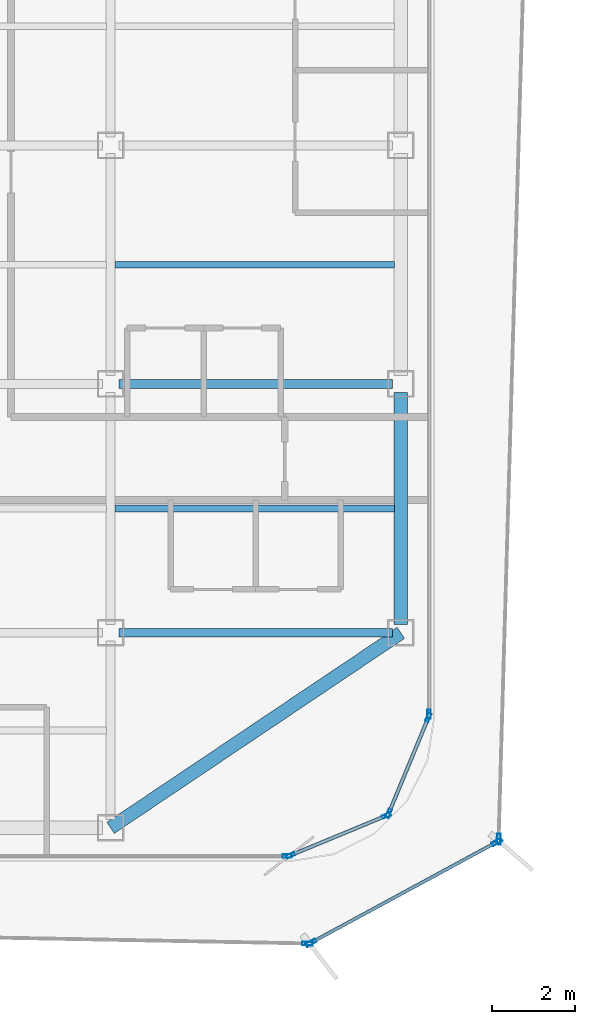
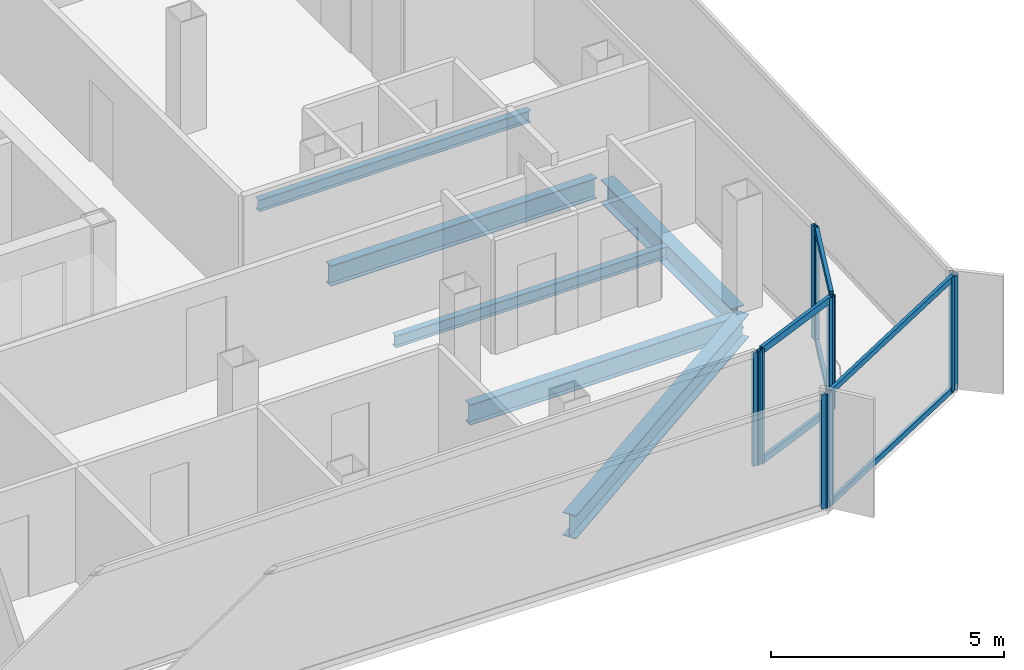
# One storey, part 4 of 15: 16 members, 6 beams, 7 elements without a shape of their own.
"""IFC4 building model written with IfcOpenShell, lengths in metres."""

from ifc_helpers import new_model, si_unit, direction, frame, origin, origin_2d, place, context, subcontext, project, spatial, hollow_rectangle, i_section, extrude, source, transform, mapped, material, layer, layer_set, material_profile, profile_set, type_object, element, aggregate, save


model = new_model("IFC4")

# Units and contexts
model_context = context("Model", 3, precision=1e-05, world=origin(), true_north=direction((0.0, 1.0)))
body_context = subcontext(model_context, "Body", "Model", "MODEL_VIEW")
ifc_project = project(units=[si_unit("LENGTHUNIT", "METRE"), si_unit("AREAUNIT", "SQUARE_METRE"), si_unit("VOLUMEUNIT", "CUBIC_METRE"), si_unit("PLANEANGLEUNIT", "RADIAN"), si_unit("MASSUNIT", "GRAM", prefix="KILO")], contexts=[model_context])

# Site, building, storey
site_placement = place(None, origin())
site = spatial("IfcSite", under=ifc_project, at=site_placement, CompositionType="ELEMENT")
building_placement = place(site_placement, origin())
building = spatial("IfcBuilding", under=site, at=building_placement, Name="Kolveth Station Tower", CompositionType="ELEMENT")
storey_placement = place(building_placement, frame((0.0, 0.0, 242.5)))
storey = spatial("IfcBuildingStorey", under=building, at=storey_placement, Name="L69", CompositionType="ELEMENT", Elevation=242.5)

# Beams
ifc_material_1 = material(Name="Steel S355", Category="steel")
ifc_material_profile_1 = material_profile(ifc_material_1, i_section(OverallWidth=0.323974609375, OverallDepth=0.611083984375, WebThickness=0.0126953125, FlangeThickness=0.01904296875, at=origin_2d()), Name="W610x155")
ifc_profile_set_1 = profile_set([ifc_material_profile_1], Name="Steel S355")
beam_type_1 = type_object("IfcBeamType", Name="Beam_SP2", PredefinedType="SPANDREL", material=ifc_profile_set_1)
shared_shape_1 = source(origin(), body_context, "Body", "SweptSolid", [
    extrude(i_section(OverallWidth=0.323974609375, OverallDepth=0.611083984375, WebThickness=0.0126953125, FlangeThickness=0.01904296875, at=origin_2d()), origin(), (0.0, 0.0, 1.0), 8.431396484375),
])
beam_1_placement = place(storey_placement, frame((34.0, 0.800048828125, -0.525390625), z_axis=(0.830223811004, 0.557430196206, 0.0), x_axis=(-0.557430196206, 0.830223811004, 0.0)))
element("IfcBeam", 1, at=beam_1_placement, inside=storey, type_object=beam_type_1, Name="L69 Corner Edge Girder BM-L69-CNR-SE", PredefinedType="SPANDREL", context=body_context, shape_type="MappedRepresentation", body=[
    mapped(shared_shape_1, transform((0.0, 0.0, 0.0), x_axis=(1.0, 0.0, 0.0), y_axis=(0.0, 1.0, 0.0), z_axis=(0.0, 0.0, 1.0), scale=1.0)),
])
shared_shape_2 = source(origin(), body_context, "Body", "SweptSolid", [
    extrude(i_section(OverallWidth=0.323974609375, OverallDepth=0.611083984375, WebThickness=0.0126953125, FlangeThickness=0.01904296875, at=origin_2d()), origin(), (0.0, 0.0, 1.0), 5.60009765625),
])
beam_2_placement = place(storey_placement, frame((41.0, 5.699951171875, -0.525390625), z_axis=(0.0, 1.0, 0.0), x_axis=(-1.0, 0.0, 0.0)))
element("IfcBeam", 2, at=beam_2_placement, inside=storey, type_object=beam_type_1, Name="L69 Perimeter Spandrel BM-L69-PE-1", PredefinedType="SPANDREL", context=body_context, shape_type="MappedRepresentation", body=[
    mapped(shared_shape_2, transform((0.0, 0.0, 0.0), x_axis=(1.0, 0.0, 0.0), y_axis=(0.0, 1.0, 0.0), z_axis=(0.0, 0.0, 1.0), scale=1.0)),
])
ifc_material_profile_2 = material_profile(ifc_material_1, i_section(OverallWidth=0.2099609375, OverallDepth=0.537109375, WebThickness=0.010986328125, FlangeThickness=0.017333984375, at=origin_2d()), Name="W530x101")
ifc_profile_set_2 = profile_set([ifc_material_profile_2], Name="Steel S355")
beam_type_2 = type_object("IfcBeamType", Name="Beam_B6", PredefinedType="BEAM", material=ifc_profile_set_2)
shared_shape_3 = source(origin(), body_context, "Body", "SweptSolid", [
    extrude(i_section(OverallWidth=0.2099609375, OverallDepth=0.537109375, WebThickness=0.010986328125, FlangeThickness=0.017333984375, at=origin_2d()), origin(), (0.0, 0.0, 1.0), 6.60009765625),
])
for number, where, z_axis, x_axis, name in (
    (3, (34.199951171875, 5.5, -0.488525390625), (1.0, 0.0, 0.0), (0.0, 1.0, 0.0), "L69 Primary Girder BM-L69-GY55-5"),
    (4, (34.199951171875, 11.5, -0.488525390625), (1.0, 0.0, 0.0), (0.0, 1.0, 0.0), "L69 Primary Girder BM-L69-GY115-5"),
):
    element("IfcBeam", number, at=place(storey_placement, frame(where, z_axis=z_axis, x_axis=x_axis)), inside=storey, type_object=beam_type_2, Name=name, PredefinedType="BEAM", context=body_context, shape_type="MappedRepresentation", body=[
        mapped(shared_shape_3, transform((0.0, 0.0, 0.0), x_axis=(1.0, 0.0, 0.0), y_axis=(0.0, 1.0, 0.0), z_axis=(0.0, 0.0, 1.0), scale=1.0)),
    ])
ifc_material_profile_3 = material_profile(ifc_material_1, i_section(OverallWidth=0.1650390625, OverallDepth=0.31005859375, WebThickness=0.005859375, FlangeThickness=0.009765625, at=origin_2d()), Name="W310x39")
ifc_profile_set_3 = profile_set([ifc_material_profile_3], Name="Steel S355")
beam_type_3 = type_object("IfcBeamType", Name="Beam_J3", PredefinedType="JOIST", material=ifc_profile_set_3)
shared_shape_4 = source(origin(), body_context, "Body", "SweptSolid", [
    extrude(i_section(OverallWidth=0.1650390625, OverallDepth=0.31005859375, WebThickness=0.005859375, FlangeThickness=0.009765625, at=origin_2d()), origin(), (0.0, 0.0, 1.0), 6.737060546875),
])
for number, where, z_axis, x_axis, name in (
    (5, (34.10302734375, 8.5, -0.375), (1.0, 0.0, 0.0), (0.0, 1.0, 0.0), "L69 Secondary Joist JST-L69-5-2"),
    (6, (34.10302734375, 14.375, -0.375), (1.0, 0.0, 0.0), (0.0, 1.0, 0.0), "L69 Secondary Joist JST-L69-5-3"),
):
    element("IfcBeam", number, at=place(storey_placement, frame(where, z_axis=z_axis, x_axis=x_axis)), inside=storey, type_object=beam_type_3, Name=name, PredefinedType="JOIST", context=body_context, shape_type="MappedRepresentation", body=[
        mapped(shared_shape_4, transform((0.0, 0.0, 0.0), x_axis=(1.0, 0.0, 0.0), y_axis=(0.0, 1.0, 0.0), z_axis=(0.0, 0.0, 1.0), scale=1.0)),
    ])

# Curtain wall, members
ifc_material_2 = material(Name="Black anodized aluminium 6063-T6 and dark solar glass", Category="aluminium")
ifc_layer_1 = layer(ifc_material_2, 0.159912109375)
ifc_layer_set_1 = layer_set([ifc_layer_1], Name="Black anodized aluminium 6063-T6 and dark solar glass")
curtain_wall_type_1 = type_object("IfcCurtainWallType", Name="OUTER SKIN CW-OS", PredefinedType="NOTDEFINED", material=ifc_layer_set_1)
curtain_wall_1_placement = place(storey_placement, origin())
curtain_wall_1 = element("IfcCurtainWall", 7, at=curtain_wall_1_placement, inside=storey, type_object=curtain_wall_type_1, Name="L69 Outer Ventilated Skin Curtain Wall 1", PredefinedType="NOTDEFINED")
ifc_material_3 = material(Name="Black anodized aluminium 6063-T6", Category="aluminium")
ifc_material_profile_4 = material_profile(ifc_material_3, hollow_rectangle(XDim=0.090087890625, YDim=0.260009765625, WallThickness=0.0048828125, at=origin_2d()), Name="ALU-90x260x5")
ifc_profile_set_4 = profile_set([ifc_material_profile_4], Name="Black anodized aluminium 6063-T6")
member_type_1 = type_object("IfcMemberType", Name="FIN MULLION ML-OS", PredefinedType="MULLION", material=ifc_profile_set_4)
shared_shape_5 = source(origin(), body_context, "Body", "SweptSolid", [
    extrude(hollow_rectangle(XDim=0.090087890625, YDim=0.260009765625, WallThickness=0.0048828125, at=origin_2d()), origin(), (0.0, 0.0, 1.0), 2.989990234375),
])
member_1_placement = place(storey_placement, frame((38.83154296875, -1.9716796875, 0.0), z_axis=(0.0, 0.0, 1.0), x_axis=(-0.476535575494, 0.879155188399, 0.0)))
member_1 = element("IfcMember", 8, at=member_1_placement, type_object=member_type_1, Name="CW-OS mullion 1", PredefinedType="MULLION", context=body_context, shape_type="MappedRepresentation", body=[
    mapped(shared_shape_5, transform((0.0, 0.0, 0.0), x_axis=(1.0, 0.0, 0.0), y_axis=(0.0, 1.0, 0.0), z_axis=(0.0, 0.0, 1.0), scale=1.0)),
])
member_2_placement = place(storey_placement, frame((43.318603515625, 0.46044921875, 0.0), z_axis=(0.0, 0.0, 1.0), x_axis=(-0.476535575494, 0.879155188399, 0.0)))
member_2 = element("IfcMember", 9, at=member_2_placement, type_object=member_type_1, Name="CW-OS mullion 2", PredefinedType="MULLION", context=body_context, shape_type="MappedRepresentation", body=[
    mapped(shared_shape_5, transform((0.0, 0.0, 0.0), x_axis=(1.0, 0.0, 0.0), y_axis=(0.0, 1.0, 0.0), z_axis=(0.0, 0.0, 1.0), scale=1.0)),
])

# Curtain wall, member
curtain_wall_2_placement = place(storey_placement, origin())
curtain_wall_2 = element("IfcCurtainWall", 10, at=curtain_wall_2_placement, inside=storey, type_object=curtain_wall_type_1, Name="L69 Outer Ventilated Skin Curtain Wall 2", PredefinedType="NOTDEFINED")
member_3_placement = place(storey_placement, frame((43.359375, 0.52685546875, 0.0), z_axis=(0.0, 0.0, 1.0), x_axis=(-0.999585840717, 0.028777543983, 0.0)))
member_3 = element("IfcMember", 11, at=member_3_placement, type_object=member_type_1, Name="CW-OS mullion 1", PredefinedType="MULLION", context=body_context, shape_type="MappedRepresentation", body=[
    mapped(shared_shape_5, transform((0.0, 0.0, 0.0), x_axis=(1.0, 0.0, 0.0), y_axis=(0.0, 1.0, 0.0), z_axis=(0.0, 0.0, 1.0), scale=1.0)),
])
aggregate(curtain_wall_2, [member_3])

curtain_wall_3_placement = place(storey_placement, origin())
curtain_wall_3 = element("IfcCurtainWall", 12, at=curtain_wall_3_placement, inside=storey, type_object=curtain_wall_type_1, Name="L69 Outer Ventilated Skin Curtain Wall 8", PredefinedType="NOTDEFINED")
member_4_placement = place(storey_placement, frame((38.7470703125, -1.9921875, 0.0), z_axis=(0.0, 0.0, 1.0), x_axis=(0.018787243741, 0.999823504161, 0.0)))
member_4 = element("IfcMember", 13, at=member_4_placement, type_object=member_type_1, Name="CW-OS mullion 2", PredefinedType="MULLION", context=body_context, shape_type="MappedRepresentation", body=[
    mapped(shared_shape_5, transform((0.0, 0.0, 0.0), x_axis=(1.0, 0.0, 0.0), y_axis=(0.0, 1.0, 0.0), z_axis=(0.0, 0.0, 1.0), scale=1.0)),
])
aggregate(curtain_wall_3, [member_4])

# Curtain wall, members
ifc_material_4 = material(Name="Aluminium 6063-T6 and triple low-E dark glass", Category="aluminium")
ifc_layer_2 = layer(ifc_material_4, 0.199951171875)
ifc_layer_set_2 = layer_set([ifc_layer_2], Name="Aluminium 6063-T6 and triple low-E dark glass")
curtain_wall_type_2 = type_object("IfcCurtainWallType", Name="CurtainWall_CW-Z3", PredefinedType="NOTDEFINED", material=ifc_layer_set_2)
curtain_wall_4_placement = place(storey_placement, origin())
curtain_wall_4 = element("IfcCurtainWall", 14, at=curtain_wall_4_placement, inside=storey, type_object=curtain_wall_type_2, Name="L69 Inner Thermal Curtain Wall 1", PredefinedType="NOTDEFINED")
ifc_material_profile_5 = material_profile(ifc_material_3, hollow_rectangle(XDim=0.0849609375, YDim=0.215087890625, WallThickness=0.0048828125, at=origin_2d()), Name="ALU-85x215x5")
ifc_profile_set_5 = profile_set([ifc_material_profile_5], Name="Black anodized aluminium 6063-T6")
member_type_2 = type_object("IfcMemberType", Name="Mullion_ML3", PredefinedType="MULLION", material=ifc_profile_set_5)
shared_shape_6 = source(origin(), body_context, "Body", "SweptSolid", [
    extrude(hollow_rectangle(XDim=0.0849609375, YDim=0.215087890625, WallThickness=0.0048828125, at=origin_2d()), origin(), (0.0, 0.0, 1.0), 2.97998046875),
])
member_5_placement = place(storey_placement, frame((38.33935546875, 0.13623046875, 0.0), z_axis=(0.0, 0.0, 1.0), x_axis=(-0.382693194181, 0.923875488975, 0.0)))
member_5 = element("IfcMember", 15, at=member_5_placement, type_object=member_type_2, Name="CW-Z3 mullion 1", PredefinedType="MULLION", context=body_context, shape_type="MappedRepresentation", body=[
    mapped(shared_shape_6, transform((0.0, 0.0, 0.0), x_axis=(1.0, 0.0, 0.0), y_axis=(0.0, 1.0, 0.0), z_axis=(0.0, 0.0, 1.0), scale=1.0)),
])
member_6_placement = place(storey_placement, frame((40.650634765625, 1.09375, 0.0), z_axis=(0.0, 0.0, 1.0), x_axis=(-0.382693194181, 0.923875488975, 0.0)))
member_6 = element("IfcMember", 16, at=member_6_placement, type_object=member_type_2, Name="CW-Z3 mullion 2", PredefinedType="MULLION", context=body_context, shape_type="MappedRepresentation", body=[
    mapped(shared_shape_6, transform((0.0, 0.0, 0.0), x_axis=(1.0, 0.0, 0.0), y_axis=(0.0, 1.0, 0.0), z_axis=(0.0, 0.0, 1.0), scale=1.0)),
])

curtain_wall_5_placement = place(storey_placement, origin())
curtain_wall_5 = element("IfcCurtainWall", 17, at=curtain_wall_5_placement, inside=storey, type_object=curtain_wall_type_2, Name="L69 Inner Thermal Curtain Wall 2", PredefinedType="NOTDEFINED")
member_7_placement = place(storey_placement, frame((40.706298828125, 1.149169921875, 0.0), z_axis=(0.0, 0.0, 1.0), x_axis=(-0.923875488975, 0.382693194181, 0.0)))
member_7 = element("IfcMember", 18, at=member_7_placement, type_object=member_type_2, Name="CW-Z3 mullion 1", PredefinedType="MULLION", context=body_context, shape_type="MappedRepresentation", body=[
    mapped(shared_shape_6, transform((0.0, 0.0, 0.0), x_axis=(1.0, 0.0, 0.0), y_axis=(0.0, 1.0, 0.0), z_axis=(0.0, 0.0, 1.0), scale=1.0)),
])
member_8_placement = place(storey_placement, frame((41.663818359375, 3.460693359375, 0.0), z_axis=(0.0, 0.0, 1.0), x_axis=(-0.923875488975, 0.382693194181, 0.0)))
member_8 = element("IfcMember", 19, at=member_8_placement, type_object=member_type_2, Name="CW-Z3 mullion 2", PredefinedType="MULLION", context=body_context, shape_type="MappedRepresentation", body=[
    mapped(shared_shape_6, transform((0.0, 0.0, 0.0), x_axis=(1.0, 0.0, 0.0), y_axis=(0.0, 1.0, 0.0), z_axis=(0.0, 0.0, 1.0), scale=1.0)),
])

# Curtain wall, member
curtain_wall_6_placement = place(storey_placement, origin())
curtain_wall_6 = element("IfcCurtainWall", 20, at=curtain_wall_6_placement, inside=storey, type_object=curtain_wall_type_2, Name="L69 Inner Thermal Curtain Wall 3", PredefinedType="NOTDEFINED")
member_9_placement = place(storey_placement, frame((41.679931640625, 3.54248046875, 0.0), z_axis=(0.0, 0.0, 1.0), x_axis=(-1.0, 0.0, 0.0)))
member_9 = element("IfcMember", 21, at=member_9_placement, type_object=member_type_2, Name="CW-Z3 mullion 1", PredefinedType="MULLION", context=body_context, shape_type="MappedRepresentation", body=[
    mapped(shared_shape_6, transform((0.0, 0.0, 0.0), x_axis=(1.0, 0.0, 0.0), y_axis=(0.0, 1.0, 0.0), z_axis=(0.0, 0.0, 1.0), scale=1.0)),
])
aggregate(curtain_wall_6, [member_9])

curtain_wall_7_placement = place(storey_placement, origin())
curtain_wall_7 = element("IfcCurtainWall", 22, at=curtain_wall_7_placement, inside=storey, type_object=curtain_wall_type_2, Name="L69 Inner Thermal Curtain Wall 12", PredefinedType="NOTDEFINED")
member_10_placement = place(storey_placement, frame((38.257568359375, 0.1201171875, 0.0), z_axis=(0.0, 0.0, 1.0), x_axis=(0.0, 1.0, 0.0)))
member_10 = element("IfcMember", 23, at=member_10_placement, type_object=member_type_2, Name="CW-Z3 mullion 2", PredefinedType="MULLION", context=body_context, shape_type="MappedRepresentation", body=[
    mapped(shared_shape_6, transform((0.0, 0.0, 0.0), x_axis=(1.0, 0.0, 0.0), y_axis=(0.0, 1.0, 0.0), z_axis=(0.0, 0.0, 1.0), scale=1.0)),
])
aggregate(curtain_wall_7, [member_10])

# Member
ifc_material_profile_6 = material_profile(ifc_material_3, hollow_rectangle(XDim=0.0849609375, YDim=0.179931640625, WallThickness=0.0048828125, at=origin_2d()), Name="ALU-85x180x5")
ifc_profile_set_6 = profile_set([ifc_material_profile_6], Name="Black anodized aluminium 6063-T6")
member_type_3 = type_object("IfcMemberType", Name="Transom_TR3", PredefinedType="USERDEFINED", material=ifc_profile_set_6)
shared_shape_7 = source(origin(), body_context, "Body", "SweptSolid", [
    extrude(hollow_rectangle(XDim=0.0849609375, YDim=0.179931640625, WallThickness=0.0048828125, at=origin_2d()), origin(), (0.0, 0.0, 1.0), 2.4169921875),
])
member_11_placement = place(storey_placement, frame((38.37841796875, 0.152587890625, 0.04248046875), z_axis=(0.923908507952, 0.382613471971, 0.0), x_axis=(-0.382613471971, 0.923908507952, 0.0)))
member_11 = element("IfcMember", 24, at=member_11_placement, type_object=member_type_3, Name="CW-Z3 transom 1.1", ObjectType="TRANSOM", PredefinedType="USERDEFINED", context=body_context, shape_type="MappedRepresentation", body=[
    mapped(shared_shape_7, transform((0.0, 0.0, 0.0), x_axis=(1.0, 0.0, 0.0), y_axis=(0.0, 1.0, 0.0), z_axis=(0.0, 0.0, 1.0), scale=1.0)),
])

member_12_placement = place(storey_placement, frame((38.37841796875, 0.152587890625, 2.9375), z_axis=(0.923908507952, 0.382613471971, 0.0), x_axis=(-0.382613471971, 0.923908507952, 0.0)))
member_12 = element("IfcMember", 25, at=member_12_placement, type_object=member_type_3, Name="CW-Z3 transom 1.2", ObjectType="TRANSOM", PredefinedType="USERDEFINED", context=body_context, shape_type="MappedRepresentation", body=[
    mapped(shared_shape_7, transform((0.0, 0.0, 0.0), x_axis=(1.0, 0.0, 0.0), y_axis=(0.0, 1.0, 0.0), z_axis=(0.0, 0.0, 1.0), scale=1.0)),
])

aggregate(curtain_wall_4, [member_5, member_6, member_11, member_12])

member_13_placement = place(storey_placement, frame((40.722412109375, 1.1884765625, 0.04248046875), z_axis=(0.382735401206, 0.9238580046, 0.0), x_axis=(-0.9238580046, 0.382735401206, 0.0)))
member_13 = element("IfcMember", 26, at=member_13_placement, type_object=member_type_3, Name="CW-Z3 transom 1.1", ObjectType="TRANSOM", PredefinedType="USERDEFINED", context=body_context, shape_type="MappedRepresentation", body=[
    mapped(shared_shape_7, transform((0.0, 0.0, 0.0), x_axis=(1.0, 0.0, 0.0), y_axis=(0.0, 1.0, 0.0), z_axis=(0.0, 0.0, 1.0), scale=1.0)),
])

member_14_placement = place(storey_placement, frame((40.722412109375, 1.1884765625, 2.9375), z_axis=(0.382735401206, 0.9238580046, 0.0), x_axis=(-0.9238580046, 0.382735401206, 0.0)))
member_14 = element("IfcMember", 27, at=member_14_placement, type_object=member_type_3, Name="CW-Z3 transom 1.2", ObjectType="TRANSOM", PredefinedType="USERDEFINED", context=body_context, shape_type="MappedRepresentation", body=[
    mapped(shared_shape_7, transform((0.0, 0.0, 0.0), x_axis=(1.0, 0.0, 0.0), y_axis=(0.0, 1.0, 0.0), z_axis=(0.0, 0.0, 1.0), scale=1.0)),
])

aggregate(curtain_wall_5, [member_7, member_8, member_13, member_14])

ifc_material_profile_7 = material_profile(ifc_material_3, hollow_rectangle(XDim=0.080078125, YDim=0.14990234375, WallThickness=0.0048828125, at=origin_2d()), Name="ALU-80x150x5")
ifc_profile_set_7 = profile_set([ifc_material_profile_7], Name="Black anodized aluminium 6063-T6")
member_type_4 = type_object("IfcMemberType", Name="Transom_TR-OS", PredefinedType="USERDEFINED", material=ifc_profile_set_7)
shared_shape_8 = source(origin(), body_context, "Body", "SweptSolid", [
    extrude(hollow_rectangle(XDim=0.080078125, YDim=0.14990234375, WallThickness=0.0048828125, at=origin_2d()), origin(), (0.0, 0.0, 1.0), 5.013916015625),
])
member_15_placement = place(storey_placement, frame((38.87109375, -1.9501953125, 0.0400390625), z_axis=(0.879165331769, 0.476516861628, 0.0), x_axis=(-0.476516861628, 0.879165331769, 0.0)))
member_15 = element("IfcMember", 28, at=member_15_placement, type_object=member_type_4, Name="CW-OS transom 1.1", ObjectType="TRANSOM", PredefinedType="USERDEFINED", context=body_context, shape_type="MappedRepresentation", body=[
    mapped(shared_shape_8, transform((0.0, 0.0, 0.0), x_axis=(1.0, 0.0, 0.0), y_axis=(0.0, 1.0, 0.0), z_axis=(0.0, 0.0, 1.0), scale=1.0)),
])

member_16_placement = place(storey_placement, frame((38.87109375, -1.9501953125, 2.949951171875), z_axis=(0.879165331769, 0.476516861628, 0.0), x_axis=(-0.476516861628, 0.879165331769, 0.0)))
member_16 = element("IfcMember", 29, at=member_16_placement, type_object=member_type_4, Name="CW-OS transom 1.2", ObjectType="TRANSOM", PredefinedType="USERDEFINED", context=body_context, shape_type="MappedRepresentation", body=[
    mapped(shared_shape_8, transform((0.0, 0.0, 0.0), x_axis=(1.0, 0.0, 0.0), y_axis=(0.0, 1.0, 0.0), z_axis=(0.0, 0.0, 1.0), scale=1.0)),
])

aggregate(curtain_wall_1, [member_1, member_2, member_15, member_16])

save(model, "model.ifc")
